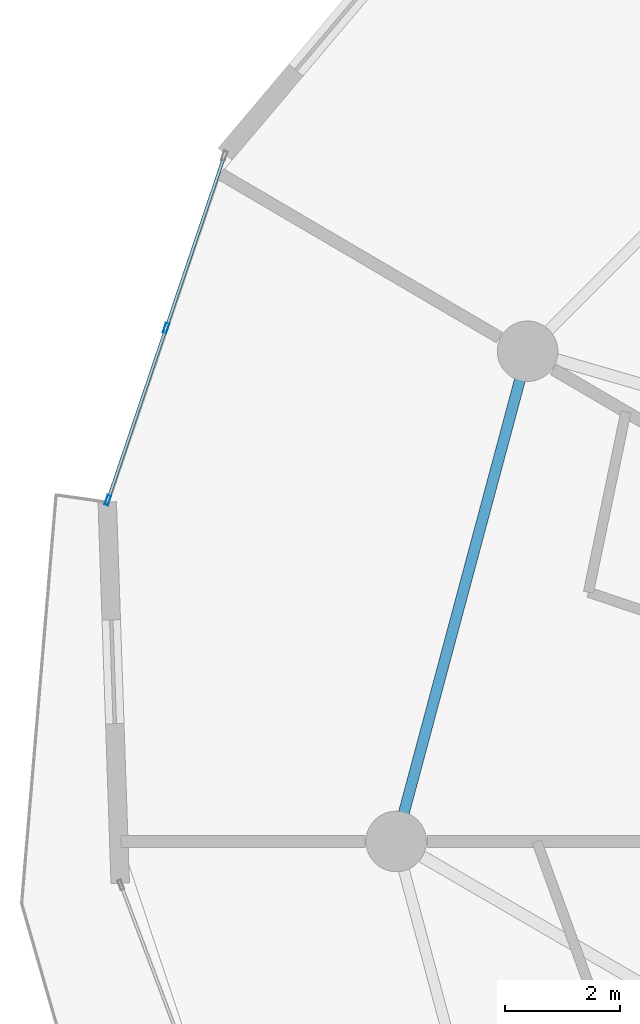
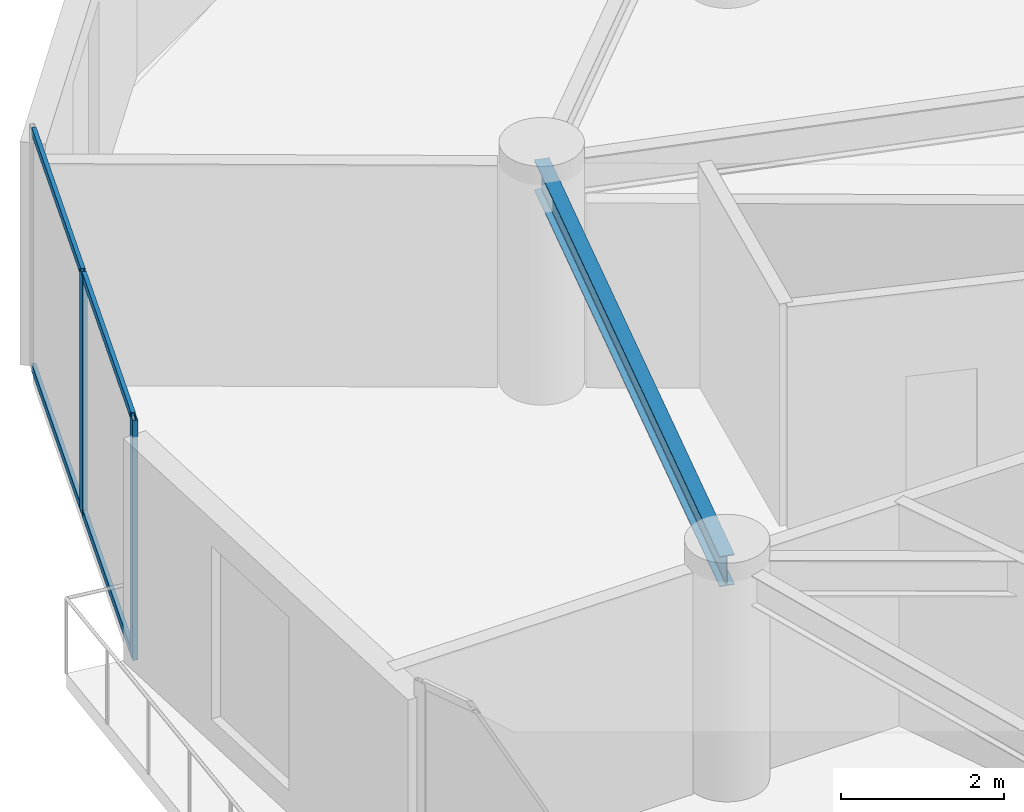
# One storey, part 8 of 25: 6 members, 1 beam, 1 element without a shape of its own.
"""IFC4 building model written with IfcOpenShell, lengths in metres."""

from ifc_helpers import new_model, si_unit, direction, frame, origin, origin_2d, place, context, subcontext, project, spatial, hollow_rectangle, i_section, extrude, source, transform, mapped, material, layer, layer_set, material_profile, profile_set, type_object, element, aggregate, save


model = new_model("IFC4")

# Units and contexts
model_context = context("Model", 3, precision=1e-05, world=origin(), true_north=direction((0.0, 1.0)))
body_context = subcontext(model_context, "Body", "Model", "MODEL_VIEW")
ifc_project = project(units=[si_unit("LENGTHUNIT", "METRE"), si_unit("AREAUNIT", "SQUARE_METRE"), si_unit("VOLUMEUNIT", "CUBIC_METRE"), si_unit("PLANEANGLEUNIT", "RADIAN"), si_unit("MASSUNIT", "GRAM", prefix="KILO")], contexts=[model_context])

# Site, building, storey
site_placement = place(None, origin())
site = spatial("IfcSite", under=ifc_project, at=site_placement, CompositionType="ELEMENT")
building_placement = place(site_placement, origin())
building = spatial("IfcBuilding", under=site, at=building_placement, Name="Solvirekh Grand Hotel", CompositionType="ELEMENT")
storey_placement = place(building_placement, frame((0.0, 0.0, 102.60009765625)))
storey = spatial("IfcBuildingStorey", under=building, at=storey_placement, Name="L25", CompositionType="ELEMENT", Elevation=102.60009765625)

# Beam
ifc_material_1 = material(Name="Steel S355", Category="steel")
ifc_material_profile_1 = material_profile(ifc_material_1, i_section(OverallWidth=0.18994140625, OverallDepth=0.45703125, WebThickness=0.009033203125, FlangeThickness=0.013916015625, FilletRadius=0.012939453125, at=origin_2d()), Name="W460X74")
ifc_profile_set_1 = profile_set([ifc_material_profile_1], Name="Steel S355")
beam_type = type_object("IfcBeamType", Name="Spandrel_Ring_W460", PredefinedType="SPANDREL", material=ifc_profile_set_1)
beam_placement = place(storey_placement, frame((-14.721923828125, 8.5, 3.121826171875), z_axis=(-0.258872908946, -0.965911391906, 0.0), x_axis=(0.965911391906, -0.258872908946, 0.0)))
element("IfcBeam", 1, at=beam_placement, inside=storey, type_object=beam_type, Name="L25 perimeter spandrel beam 6", PredefinedType="SPANDREL", context=body_context, shape_type="SweptSolid", body=[
    extrude(i_section(OverallWidth=0.18994140625, OverallDepth=0.45703125, WebThickness=0.009033203125, FlangeThickness=0.013916015625, FilletRadius=0.012939453125, at=origin_2d()), origin(), (0.0, 0.0, 1.0), 8.800048828125),
])

# Curtain wall, members
ifc_material_2 = material(Name="Anodized Bronze Aluminium 6063-T6", Category="aluminium")
ifc_layer = layer(ifc_material_2, 0.175048828125)
ifc_layer_set = layer_set([ifc_layer], Name="Anodized Bronze Aluminium 6063-T6")
curtain_wall_type = type_object("IfcCurtainWallType", Name="CW_Sys3_MidZoneFlushBronzeCW", PredefinedType="NOTDEFINED", material=ifc_layer_set)
curtain_wall_placement = place(storey_placement, origin())
curtain_wall = element("IfcCurtainWall", 2, at=curtain_wall_placement, inside=storey, type_object=curtain_wall_type, Name="L25 unitised bronze-glass curtain wall CW-L25-C11", PredefinedType="NOTDEFINED")
ifc_material_profile_2 = material_profile(ifc_material_2, hollow_rectangle(XDim=0.06494140625, YDim=0.175048828125, WallThickness=0.0048828125, at=origin_2d()), Name="ALU RHS 175X65X5")
ifc_profile_set_2 = profile_set([ifc_material_profile_2], Name="Anodized Bronze Aluminium 6063-T6")
member_type_1 = type_object("IfcMemberType", Name="CWMullion_Sys3", PredefinedType="MULLION", material=ifc_profile_set_2)
shared_shape_1 = source(origin(), body_context, "Body", "SweptSolid", [
    extrude(hollow_rectangle(XDim=0.06494140625, YDim=0.175048828125, WallThickness=0.0048828125, at=origin_2d()), origin(), (0.0, 0.0, 1.0), 3.599853515625),
])
member_1_placement = place(storey_placement, frame((-20.989990234375, 8.902587890625, 0.0), z_axis=(0.0, 0.0, 1.0), x_axis=(0.947213035477, -0.320604843106, 0.0)))
member_1 = element("IfcMember", 3, at=member_1_placement, type_object=member_type_1, Name="U03 mullion 2", PredefinedType="MULLION", context=body_context, shape_type="MappedRepresentation", body=[
    mapped(shared_shape_1, transform((0.0, 0.0, 0.0), x_axis=(1.0, 0.0, 0.0), y_axis=(0.0, 1.0, 0.0), z_axis=(0.0, 0.0, 1.0), scale=1.0)),
])
member_2_placement = place(storey_placement, frame((-22.00048828125, 5.916748046875, 0.0), z_axis=(0.0, 0.0, 1.0), x_axis=(0.947213035477, -0.320604843106, 0.0)))
member_2 = element("IfcMember", 4, at=member_2_placement, type_object=member_type_1, Name="U03 mullion 3", PredefinedType="MULLION", context=body_context, shape_type="MappedRepresentation", body=[
    mapped(shared_shape_1, transform((0.0, 0.0, 0.0), x_axis=(1.0, 0.0, 0.0), y_axis=(0.0, 1.0, 0.0), z_axis=(0.0, 0.0, 1.0), scale=1.0)),
])
ifc_material_profile_3 = material_profile(ifc_material_2, hollow_rectangle(XDim=0.054931640625, YDim=0.1201171875, WallThickness=0.00390625, at=origin_2d()), Name="ALU RHS 120X55X4")
ifc_profile_set_3 = profile_set([ifc_material_profile_3], Name="Anodized Bronze Aluminium 6063-T6")
member_type_2 = type_object("IfcMemberType", Name="CWTransom_Sys3", PredefinedType="USERDEFINED", material=ifc_profile_set_3)
shared_shape_2 = source(origin(), body_context, "Body", "SweptSolid", [
    extrude(hollow_rectangle(XDim=0.054931640625, YDim=0.1201171875, WallThickness=0.00390625, at=origin_2d()), origin(), (0.0, 0.0, 1.0), 3.087158203125),
])
member_3_placement = place(storey_placement, frame((-19.98974609375, 11.857421875, 0.02734375), z_axis=(-0.320613640642, -0.947210057714, 0.0), x_axis=(0.947210057714, -0.320613640642, 0.0)))
member_3 = element("IfcMember", 5, at=member_3_placement, type_object=member_type_2, Name="U03 transom 1.1", ObjectType="TRANSOM", PredefinedType="USERDEFINED", context=body_context, shape_type="MappedRepresentation", body=[
    mapped(shared_shape_2, transform((0.0, 0.0, 0.0), x_axis=(1.0, 0.0, 0.0), y_axis=(0.0, 1.0, 0.0), z_axis=(0.0, 0.0, 1.0), scale=1.0)),
])
member_4_placement = place(storey_placement, frame((-19.98974609375, 11.857421875, 3.572509765625), z_axis=(-0.320613640642, -0.947210057714, 0.0), x_axis=(0.947210057714, -0.320613640642, 0.0)))
member_4 = element("IfcMember", 6, at=member_4_placement, type_object=member_type_2, Name="U03 transom 1.2", ObjectType="TRANSOM", PredefinedType="USERDEFINED", context=body_context, shape_type="MappedRepresentation", body=[
    mapped(shared_shape_2, transform((0.0, 0.0, 0.0), x_axis=(1.0, 0.0, 0.0), y_axis=(0.0, 1.0, 0.0), z_axis=(0.0, 0.0, 1.0), scale=1.0)),
])
member_5_placement = place(storey_placement, frame((-21.00048828125, 8.871826171875, 0.02734375), z_axis=(-0.320589624907, -0.947218186271, 0.0), x_axis=(0.947218186271, -0.320589624907, 0.0)))
member_5 = element("IfcMember", 7, at=member_5_placement, type_object=member_type_2, Name="U03 transom 2.1", ObjectType="TRANSOM", PredefinedType="USERDEFINED", context=body_context, shape_type="MappedRepresentation", body=[
    mapped(shared_shape_2, transform((0.0, 0.0, 0.0), x_axis=(1.0, 0.0, 0.0), y_axis=(0.0, 1.0, 0.0), z_axis=(0.0, 0.0, 1.0), scale=1.0)),
])
member_6_placement = place(storey_placement, frame((-21.00048828125, 8.871826171875, 3.572509765625), z_axis=(-0.320589624907, -0.947218186271, 0.0), x_axis=(0.947218186271, -0.320589624907, 0.0)))
member_6 = element("IfcMember", 8, at=member_6_placement, type_object=member_type_2, Name="U03 transom 2.2", ObjectType="TRANSOM", PredefinedType="USERDEFINED", context=body_context, shape_type="MappedRepresentation", body=[
    mapped(shared_shape_2, transform((0.0, 0.0, 0.0), x_axis=(1.0, 0.0, 0.0), y_axis=(0.0, 1.0, 0.0), z_axis=(0.0, 0.0, 1.0), scale=1.0)),
])
aggregate(curtain_wall, [member_1, member_2, member_3, member_4, member_5, member_6])

save(model, "model.ifc")
